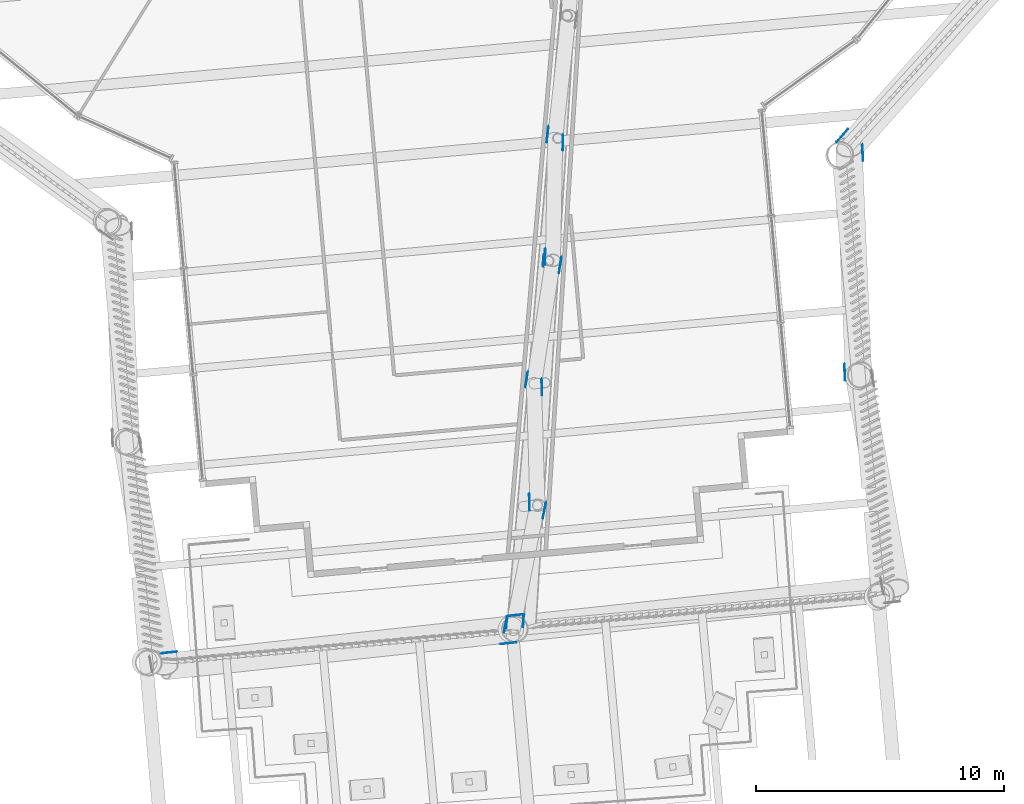
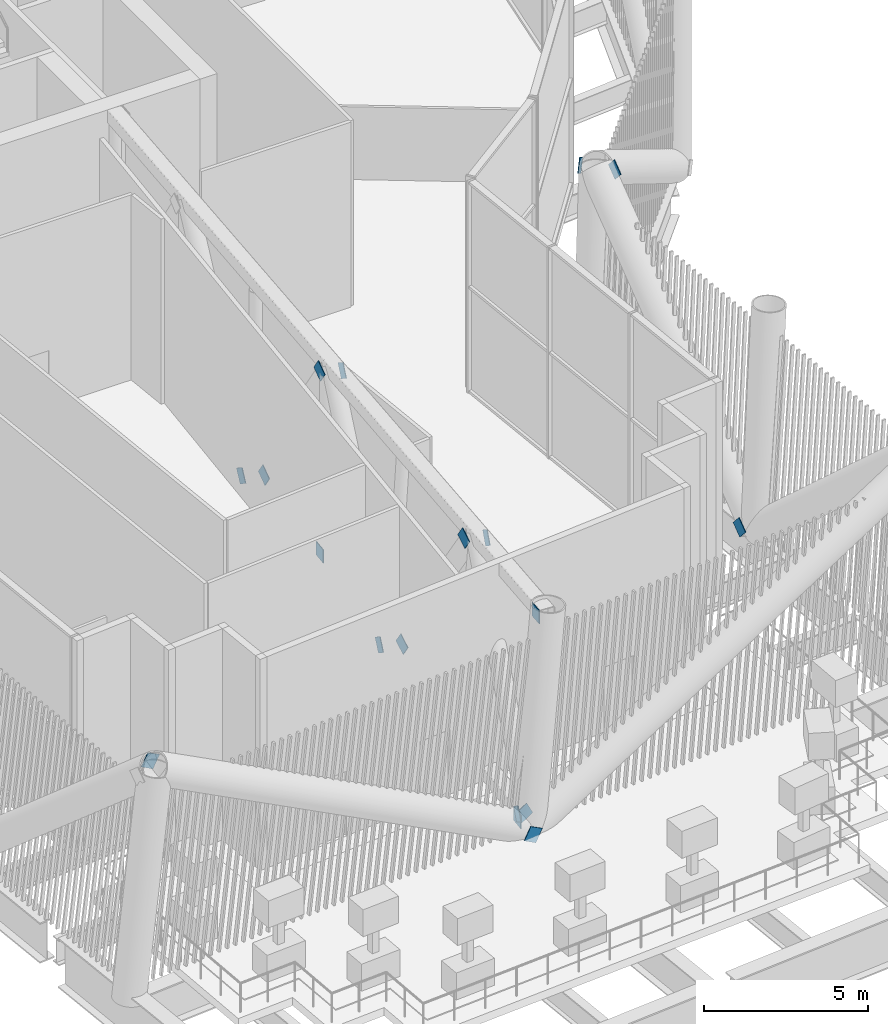
# One storey, part 37 of 55: 18 discrete accessories.
"""IFC4 building model written with IfcOpenShell, lengths in metres."""

from ifc_helpers import new_model, si_unit, direction, frame, origin, origin_2d, place, context, subcontext, project, spatial, rectangle, extrude, material, material_profile, profile_set, type_object, element, save


model = new_model("IFC4")

# Units and contexts
model_context = context("Model", 3, precision=1e-05, world=origin(), true_north=direction((0.0, 1.0)))
body_context = subcontext(model_context, "Body", "Model", "MODEL_VIEW")
ifc_project = project(units=[si_unit("LENGTHUNIT", "METRE"), si_unit("AREAUNIT", "SQUARE_METRE"), si_unit("VOLUMEUNIT", "CUBIC_METRE"), si_unit("PLANEANGLEUNIT", "RADIAN"), si_unit("MASSUNIT", "GRAM", prefix="KILO")], contexts=[model_context])

# Site, building, storey
site_placement = place(None, origin())
site = spatial("IfcSite", under=ifc_project, at=site_placement, CompositionType="ELEMENT")
building_placement = place(site_placement, origin())
building = spatial("IfcBuilding", under=site, at=building_placement, Name="Tarsis Ring Headquarters", CompositionType="ELEMENT")
storey_placement = place(building_placement, frame((0.0, 0.0, 247.199951171875)))
storey = spatial("IfcBuildingStorey", under=building, at=storey_placement, Name="L58", CompositionType="ELEMENT", Elevation=247.199951171875)

# Discrete accessories
ifc_material = material(Name="Structural steel S355", Category="steel")
ifc_material_profile = material_profile(ifc_material, rectangle(XDim=0.02490234375, YDim=0.5, at=origin_2d()), Name="PL 25x500")
ifc_profile_set = profile_set([ifc_material_profile], Name="Structural steel S355")
discrete_accessory_type_1 = type_object("IfcDiscreteAccessoryType", Name="Gusset plate Belt truss 25", PredefinedType="BRACKET", material=ifc_profile_set)
discrete_accessory_1_placement = place(storey_placement, frame((3.8779296875, -43.171875, 0.0), z_axis=(-0.864005736828, -0.093287222009, 0.494764166991), x_axis=(0.107346712589, -0.994221646966, 0.0)))
element("IfcDiscreteAccessory", 1, at=discrete_accessory_1_placement, inside=storey, type_object=discrete_accessory_type_1, Name="Gusset plate GP4", PredefinedType="BRACKET", context=body_context, shape_type="SweptSolid", body=[
    extrude(rectangle(XDim=0.02490234375, YDim=0.5, at=origin_2d()), origin(), (0.0, 0.0, 1.0), 0.499755859375),
])
for number, where, z_axis, x_axis, name in (
    (2, (-10.211181640625, -43.591064453125, 8.0), (0.864168707443, 0.09276387255, -0.494577909966), (-0.106731467642, 0.994287882766, 0.0), "Gusset plate GP4"),
    (3, (3.761474609375, -42.08642578125, 0.0), (0.884210413413, 0.09423114842, 0.457484901915), (-0.105970879122, 0.994369233624, 0.0), "Gusset plate GP4"),
    (4, (17.220703125, -32.464599609375, 0.0), (-0.031740547808, 0.752983457231, 0.657273497687), (-0.99911274251, -0.042115647382, 0.0), "Gusset plate GP4"),
):
    element("IfcDiscreteAccessory", number, at=place(storey_placement, frame(where, z_axis=z_axis, x_axis=x_axis)), inside=storey, type_object=discrete_accessory_type_1, Name=name, PredefinedType="BRACKET", context=body_context, shape_type="SweptSolid", body=[
        extrude(rectangle(XDim=0.02490234375, YDim=0.5, at=origin_2d()), origin(), (0.0, 0.0, 1.0), 0.5),
    ])
discrete_accessory_2_placement = place(storey_placement, frame((17.92578125, -23.252197265625, 8.0), z_axis=(0.031728879653, -0.753194789305, -0.657031877126), x_axis=(0.999113890652, 0.042088401097, 0.0)))
element("IfcDiscreteAccessory", 5, at=discrete_accessory_2_placement, inside=storey, type_object=discrete_accessory_type_1, Name="Gusset plate GP4", PredefinedType="BRACKET", context=body_context, shape_type="SweptSolid", body=[
    extrude(rectangle(XDim=0.02490234375, YDim=0.5, at=origin_2d()), origin(), (0.0, 0.0, 1.0), 0.500244140625),
])
discrete_accessory_3_placement = place(storey_placement, frame((16.97216796875, -22.912841796875, 8.0), z_axis=(0.548556664562, 0.618408492729, -0.562722419924), x_axis=(-0.748093563746, 0.663593263891, 0.0)))
element("IfcDiscreteAccessory", 6, at=discrete_accessory_3_placement, inside=storey, type_object=discrete_accessory_type_1, Name="Gusset plate GP4", PredefinedType="BRACKET", context=body_context, shape_type="SweptSolid", body=[
    extrude(rectangle(XDim=0.02490234375, YDim=0.5, at=origin_2d()), origin(), (0.0, 0.0, 1.0), 0.499755859375),
])
discrete_accessory_type_2 = type_object("IfcDiscreteAccessoryType", Name="Gusset plate Outrigger 25", PredefinedType="BRACKET", material=ifc_profile_set)
for number, where, z_axis, x_axis, name in (
    (7, (5.232177734375, -22.84130859375, 0.254150390625), (0.061037390092, 0.558614194118, 0.827178710522), (-0.994083425749, 0.108619255436, 0.0), "Gusset plate GP1"),
    (8, (5.864990234375, -22.881103515625, 0.254150390625), (-0.009765367732, -0.556137692355, 0.831032794019), (0.999845871791, -0.017556556133, 0.0), "Gusset plate GP1"),
    (9, (5.14501953125, -27.7744140625, 7.5859375), (0.009765367732, 0.556137692355, -0.831032794019), (-0.999845871791, 0.017556556133, 0.0), "Gusset plate GP1"),
):
    element("IfcDiscreteAccessory", number, at=place(storey_placement, frame(where, z_axis=z_axis, x_axis=x_axis)), inside=storey, type_object=discrete_accessory_type_2, Name=name, PredefinedType="BRACKET", context=body_context, shape_type="SweptSolid", body=[
        extrude(rectangle(XDim=0.02490234375, YDim=0.5, at=origin_2d()), origin(), (0.0, 0.0, 1.0), 0.5),
    ])
for number, where, z_axis, x_axis, name in (
    (10, (5.77587890625, -27.828369140625, 7.5859375), (-0.08645264275, -0.55925579632, -0.824474920688), (0.988261680425, -0.152770582913, 0.0), "Gusset plate GP1"),
    (11, (4.3818359375, -32.702880859375, 0.254150390625), (0.08645264275, 0.55925579632, 0.824474920688), (-0.988261680425, 0.152770582913, 0.0), "Gusset plate GP1"),
    (12, (5.0126953125, -32.7421875, 0.254150390625), (0.016120283479, -0.553951559534, 0.832392819617), (0.999576848341, 0.029088215163, 0.0), "Gusset plate GP1"),
):
    element("IfcDiscreteAccessory", number, at=place(storey_placement, frame(where, z_axis=z_axis, x_axis=x_axis)), inside=storey, type_object=discrete_accessory_type_2, Name=name, PredefinedType="BRACKET", context=body_context, shape_type="SweptSolid", body=[
        extrude(rectangle(XDim=0.02490234375, YDim=0.5, at=origin_2d()), origin(), (0.0, 0.0, 1.0), 0.499755859375),
    ])
for number, where, z_axis, x_axis, name in (
    (13, (4.52001953125, -37.642333984375, 7.5859375), (-0.01611592115, 0.554290015324, -0.832167564856), (-0.999577593182, -0.029062608436, 0.0), "Gusset plate GP1"),
    (14, (5.148193359375, -37.695068359375, 7.5859375), (-0.111326532473, -0.559562307954, -0.821277314118), (0.98077767699, -0.195128543066, 0.0), "Gusset plate GP1"),
    (15, (3.531982421875, -42.56494140625, 0.254150390625), (0.111326532473, 0.559562307954, 0.821277314118), (-0.98077767699, 0.195128543066, 0.0), "Gusset plate GP1"),
):
    element("IfcDiscreteAccessory", number, at=place(storey_placement, frame(where, z_axis=z_axis, x_axis=x_axis)), inside=storey, type_object=discrete_accessory_type_2, Name=name, PredefinedType="BRACKET", context=body_context, shape_type="SweptSolid", body=[
        extrude(rectangle(XDim=0.02490234375, YDim=0.5, at=origin_2d()), origin(), (0.0, 0.0, 1.0), 0.5),
    ])
discrete_accessory_type_3 = type_object("IfcDiscreteAccessoryType", Name="Gusset plate Outrigger chord 25", PredefinedType="BRACKET", material=ifc_profile_set)
for number, where, z_axis, x_axis, name in (
    (16, (3.57763671875, -42.60400390625, 0.254150390625), (0.085955208051, 0.996299002413, 0.0), (-0.996299002413, 0.085955208051, 0.0), "Gusset plate GP3"),
    (17, (4.258544921875, -42.54296875, 7.5859375), (0.063472537241, 0.997983585544, 0.0), (-0.997983585544, 0.063472537241, 0.0), "Gusset plate GP3"),
    (18, (5.076904296875, -27.778076171875, 0.508056640625), (0.0, 0.0, 1.0), (-0.996296714706, 0.085981720534, 0.0), "Gusset plate GP3"),
):
    element("IfcDiscreteAccessory", number, at=place(storey_placement, frame(where, z_axis=z_axis, x_axis=x_axis)), inside=storey, type_object=discrete_accessory_type_3, Name=name, PredefinedType="BRACKET", context=body_context, shape_type="SweptSolid", body=[
        extrude(rectangle(XDim=0.02490234375, YDim=0.5, at=origin_2d()), origin(), (0.0, 0.0, 1.0), 0.5),
    ])

save(model, "model.ifc")
